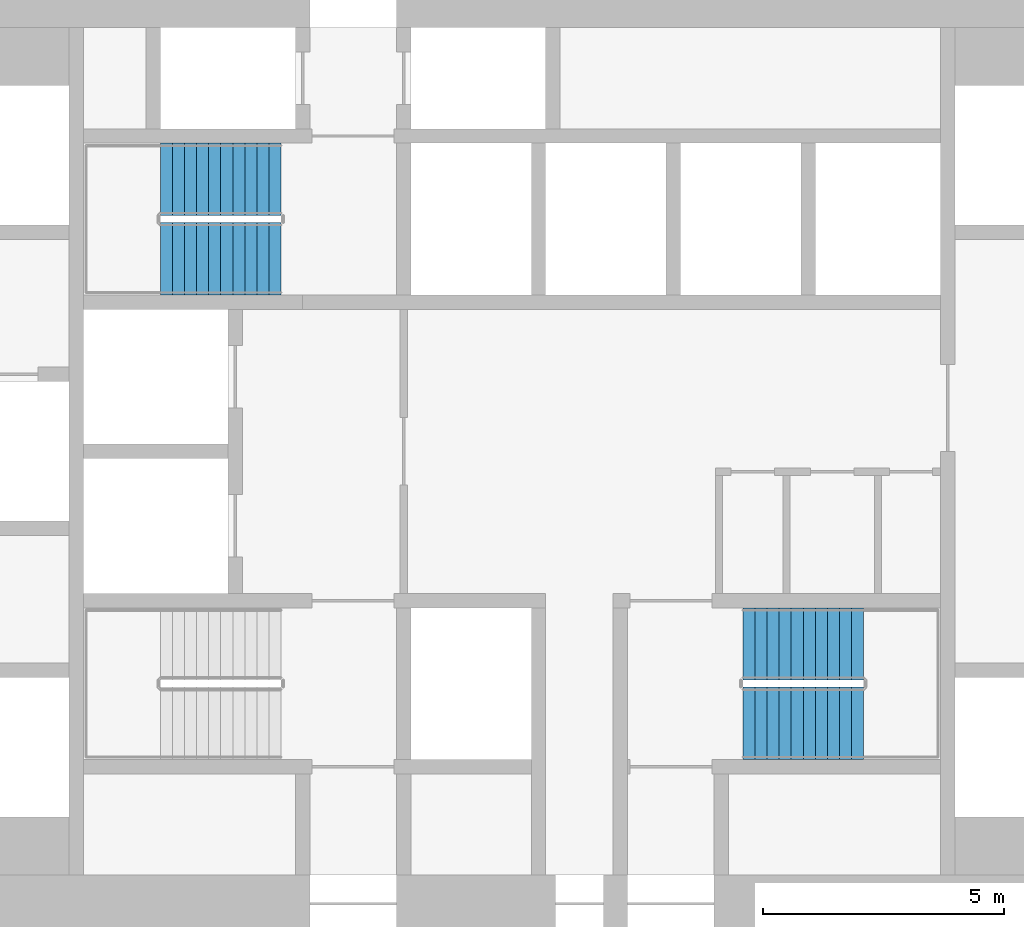
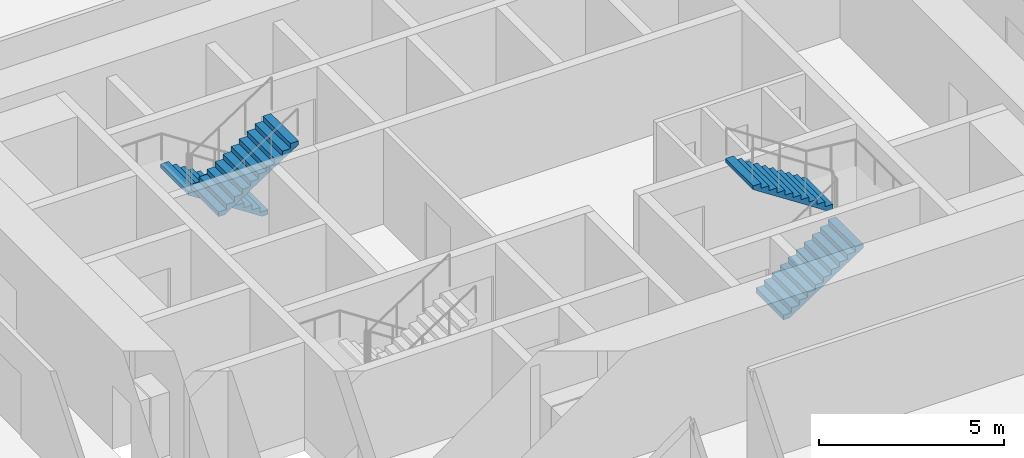
# One storey, part 11 of 12: 4 stair flights, 2 elements without a shape of their own.
"""IFC4 building model written with IfcOpenShell, lengths in metres."""

from ifc_helpers import new_model, si_unit, direction, frame, origin, place, context, subcontext, project, spatial, polyline, outline, extrude, material, type_object, element, aggregate, save


model = new_model("IFC4")

# Units and contexts
model_context = context("Model", 3, precision=1e-05, world=origin(), true_north=direction((0.0, 1.0)))
body_context = subcontext(model_context, "Body", "Model", "MODEL_VIEW")
ifc_project = project(units=[si_unit("LENGTHUNIT", "METRE"), si_unit("AREAUNIT", "SQUARE_METRE"), si_unit("VOLUMEUNIT", "CUBIC_METRE"), si_unit("PLANEANGLEUNIT", "RADIAN"), si_unit("MASSUNIT", "GRAM", prefix="KILO")], contexts=[model_context])

# Site, building, storey
site_placement = place(None, origin())
site = spatial("IfcSite", under=ifc_project, at=site_placement, CompositionType="ELEMENT")
building_placement = place(site_placement, origin())
building = spatial("IfcBuilding", under=site, at=building_placement, Name="Tracery Tower", CompositionType="ELEMENT")
storey_placement = place(building_placement, frame((0.0, 0.0, 49.800048828125)))
storey = spatial("IfcBuildingStorey", under=building, at=storey_placement, Name="L11", CompositionType="ELEMENT", Elevation=49.800048828125)

# Stair, stair flights
ifc_material_1 = material(Name="Concrete C32/40", Category="concrete")
stair_type = type_object("IfcStairType", Name="Core stair 22 risers", PredefinedType="HALF_TURN_STAIR", material=ifc_material_1)
stair_1_placement = place(storey_placement, origin())
stair_1 = element("IfcStair", 1, at=stair_1_placement, inside=storey, type_object=stair_type, Name="L11 stair ST3", PredefinedType="HALF_TURN_STAIR")
ifc_material_2 = material(Name="Concrete C32/40", Category="concrete")
stair_flight_type = type_object("IfcStairFlightType", Name="Core stair flight 11 risers", PredefinedType="STRAIGHT", material=ifc_material_2)
stair_flight_1_placement = place(storey_placement, frame((-4.800048828125, 5.64990234375, 0.0), z_axis=(0.0, 0.0, 1.0), x_axis=(-1.0, 0.0, 0.0)))
stair_flight_1 = element("IfcStairFlight", 2, at=stair_flight_1_placement, type_object=stair_flight_type, Name="ST3 flight 1", NumberOfRisers=11, NumberOfTreads=10, PredefinedType="STRAIGHT", RiserHeight=0.163636364, TreadLength=0.25, context=body_context, shape_type="SweptSolid", body=[
    extrude(outline(polyline([(0.0, 0.0), (0.0, 0.002685546875), (0.0, 0.00537109375), (0.0, 0.008056640625), (0.0, 0.0107421875), (0.0, 0.013427734375), (0.0, 0.01611328125), (0.0, 0.018798828125), (0.0, 0.021484375), (0.0, 0.024169921875), (0.0, 0.02685546875), (0.0, 0.029541015625), (0.0, 0.0322265625), (0.0, 0.034912109375), (0.0, 0.03759765625), (0.0, 0.040283203125), (0.0, 0.04296875), (0.0, 0.045654296875), (0.0, 0.04833984375), (0.0, 0.051025390625), (0.0, 0.0537109375), (0.0, 0.056396484375), (0.0, 0.05908203125), (0.0, 0.061767578125), (0.0, 0.064453125), (0.0, 0.067138671875), (0.0, 0.06982421875), (0.0, 0.072509765625), (0.0, 0.0751953125), (0.0, 0.077880859375), (0.0, 0.08056640625), (0.0, 0.083251953125), (0.0, 0.0859375), (0.0, 0.088623046875), (0.0, 0.09130859375), (0.0, 0.093994140625), (0.0, 0.0966796875), (0.0, 0.099365234375), (0.0, 0.10205078125), (0.0, 0.104736328125), (0.0, 0.107421875), (0.0, 0.10986328125), (0.0, 0.112548828125), (0.0, 0.115234375), (0.0, 0.117919921875), (0.0, 0.12060546875), (0.0, 0.123291015625), (0.0, 0.1259765625), (0.0, 0.128662109375), (0.0, 0.13134765625), (0.0, 0.134033203125), (0.0, 0.13671875), (0.0, 0.139404296875), (0.0, 0.14208984375), (0.0, 0.144775390625), (0.0, 0.1474609375), (0.0, 0.150146484375), (0.0, 0.15283203125), (0.0, 0.155517578125), (0.0, 0.158203125), (0.0, 0.160888671875), (0.0, 0.16357421875), (0.25, 0.16357421875), (0.25, 0.327392578125), (0.5, 0.327392578125), (0.5, 0.490966796875), (0.75, 0.490966796875), (0.75, 0.654541015625), (1.0, 0.654541015625), (1.0, 0.818115234375), (1.25, 0.818115234375), (1.25, 0.98193359375), (1.5, 0.98193359375), (1.5, 1.1455078125), (1.75, 1.1455078125), (1.75, 1.30908203125), (2.0, 1.30908203125), (2.0, 1.47265625), (2.25, 1.47265625), (2.25, 1.636474609375), (2.5, 1.636474609375), (2.5, 1.634521484375), (2.5, 1.63232421875), (2.5, 1.63037109375), (2.5, 1.62841796875), (2.5, 1.62646484375), (2.5, 1.62451171875), (2.5, 1.62255859375), (2.5, 1.62060546875), (2.5, 1.61865234375), (2.5, 1.61669921875), (2.5, 1.61474609375), (2.5, 1.61279296875), (2.5, 1.61083984375), (2.5, 1.60888671875), (2.5, 1.60693359375), (2.5, 1.60498046875), (2.5, 1.60302734375), (2.5, 1.60107421875), (2.5, 1.59912109375), (2.5, 1.59716796875), (2.5, 1.59521484375), (2.5, 1.59326171875), (2.5, 1.59130859375), (2.5, 1.58935546875), (2.5, 1.58740234375), (2.5, 1.58544921875), (2.5, 1.58349609375), (2.5, 1.58154296875), (2.5, 1.57958984375), (2.5, 1.57763671875), (2.5, 1.57568359375), (2.5, 1.573486328125), (2.5, 1.571533203125), (2.5, 1.569580078125), (2.5, 1.567626953125), (2.5, 1.565673828125), (2.5, 1.563720703125), (2.5, 1.561767578125), (2.5, 1.559814453125), (2.5, 1.557861328125), (2.5, 1.555908203125), (2.5, 1.553955078125), (2.5, 1.552001953125), (2.5, 1.550048828125), (2.5, 1.548095703125), (2.5, 1.546142578125), (2.5, 1.544189453125), (2.5, 1.542236328125), (2.5, 1.540283203125), (2.5, 1.538330078125), (2.5, 1.536376953125), (2.5, 1.534423828125), (2.5, 1.532470703125), (2.5, 1.530517578125), (2.5, 1.528564453125), (2.5, 1.526611328125), (2.5, 1.524658203125), (2.5, 1.522705078125), (2.5, 1.520751953125), (2.5, 1.518798828125), (2.5, 1.516845703125), (0.182861328125, 0.0), (0.0, 0.0)])), frame((0.0, 0.75, 0.0), z_axis=(0.0, -1.0, 0.0), x_axis=(1.0, 0.0, 0.0)), (0.0, 0.0, 1.0), 1.5),
])
stair_flight_2_placement = place(storey_placement, frame((-7.300048828125, 4.0, 1.800048828125), z_axis=(0.0, 0.0, 1.0), x_axis=(1.0, 0.0, 0.0)))
stair_flight_2 = element("IfcStairFlight", 3, at=stair_flight_2_placement, type_object=stair_flight_type, Name="ST3 flight 2", NumberOfRisers=11, NumberOfTreads=10, PredefinedType="STRAIGHT", RiserHeight=0.163636364, TreadLength=0.25, context=body_context, shape_type="SweptSolid", body=[
    extrude(outline(polyline([(0.0, 0.0), (0.0, 0.002685546875), (0.0, 0.00537109375), (0.0, 0.008056640625), (0.0, 0.0107421875), (0.0, 0.013427734375), (0.0, 0.01611328125), (0.0, 0.018798828125), (0.0, 0.021484375), (0.0, 0.024169921875), (0.0, 0.02685546875), (0.0, 0.029541015625), (0.0, 0.0322265625), (0.0, 0.034912109375), (0.0, 0.03759765625), (0.0, 0.040283203125), (0.0, 0.04296875), (0.0, 0.045654296875), (0.0, 0.04833984375), (0.0, 0.051025390625), (0.0, 0.0537109375), (0.0, 0.056396484375), (0.0, 0.05908203125), (0.0, 0.061767578125), (0.0, 0.064453125), (0.0, 0.067138671875), (0.0, 0.06982421875), (0.0, 0.072509765625), (0.0, 0.0751953125), (0.0, 0.077880859375), (0.0, 0.08056640625), (0.0, 0.083251953125), (0.0, 0.0859375), (0.0, 0.088623046875), (0.0, 0.09130859375), (0.0, 0.093994140625), (0.0, 0.0966796875), (0.0, 0.099365234375), (0.0, 0.10205078125), (0.0, 0.104736328125), (0.0, 0.107421875), (0.0, 0.10986328125), (0.0, 0.112548828125), (0.0, 0.115234375), (0.0, 0.117919921875), (0.0, 0.12060546875), (0.0, 0.123291015625), (0.0, 0.1259765625), (0.0, 0.128662109375), (0.0, 0.13134765625), (0.0, 0.134033203125), (0.0, 0.13671875), (0.0, 0.139404296875), (0.0, 0.14208984375), (0.0, 0.144775390625), (0.0, 0.1474609375), (0.0, 0.150146484375), (0.0, 0.15283203125), (0.0, 0.155517578125), (0.0, 0.158203125), (0.0, 0.160888671875), (0.0, 0.16357421875), (0.25, 0.16357421875), (0.25, 0.327392578125), (0.5, 0.327392578125), (0.5, 0.490966796875), (0.75, 0.490966796875), (0.75, 0.654541015625), (1.0, 0.654541015625), (1.0, 0.818115234375), (1.25, 0.818115234375), (1.25, 0.98193359375), (1.5, 0.98193359375), (1.5, 1.1455078125), (1.75, 1.1455078125), (1.75, 1.30908203125), (2.0, 1.30908203125), (2.0, 1.47265625), (2.25, 1.47265625), (2.25, 1.636474609375), (2.5, 1.636474609375), (2.5, 1.634521484375), (2.5, 1.63232421875), (2.5, 1.63037109375), (2.5, 1.62841796875), (2.5, 1.62646484375), (2.5, 1.62451171875), (2.5, 1.62255859375), (2.5, 1.62060546875), (2.5, 1.61865234375), (2.5, 1.61669921875), (2.5, 1.61474609375), (2.5, 1.61279296875), (2.5, 1.61083984375), (2.5, 1.60888671875), (2.5, 1.60693359375), (2.5, 1.60498046875), (2.5, 1.60302734375), (2.5, 1.60107421875), (2.5, 1.59912109375), (2.5, 1.59716796875), (2.5, 1.59521484375), (2.5, 1.59326171875), (2.5, 1.59130859375), (2.5, 1.58935546875), (2.5, 1.58740234375), (2.5, 1.58544921875), (2.5, 1.58349609375), (2.5, 1.58154296875), (2.5, 1.57958984375), (2.5, 1.57763671875), (2.5, 1.57568359375), (2.5, 1.573486328125), (2.5, 1.571533203125), (2.5, 1.569580078125), (2.5, 1.567626953125), (2.5, 1.565673828125), (2.5, 1.563720703125), (2.5, 1.561767578125), (2.5, 1.559814453125), (2.5, 1.557861328125), (2.5, 1.555908203125), (2.5, 1.553955078125), (2.5, 1.552001953125), (2.5, 1.550048828125), (2.5, 1.548095703125), (2.5, 1.546142578125), (2.5, 1.544189453125), (2.5, 1.542236328125), (2.5, 1.540283203125), (2.5, 1.538330078125), (2.5, 1.536376953125), (2.5, 1.534423828125), (2.5, 1.532470703125), (2.5, 1.530517578125), (2.5, 1.528564453125), (2.5, 1.526611328125), (2.5, 1.524658203125), (2.5, 1.522705078125), (2.5, 1.520751953125), (2.5, 1.518798828125), (2.5, 1.516845703125), (0.182861328125, 0.0), (0.0, 0.0)])), frame((0.0, 0.75, 0.0), z_axis=(0.0, -1.0, 0.0), x_axis=(1.0, 0.0, 0.0)), (0.0, 0.0, 1.0), 1.5),
])
aggregate(stair_1, [stair_flight_1, stair_flight_2])

stair_2_placement = place(storey_placement, origin())
stair_2 = element("IfcStair", 4, at=stair_2_placement, inside=storey, type_object=stair_type, Name="L11 stair ST2", PredefinedType="HALF_TURN_STAIR")
stair_flight_3_placement = place(storey_placement, frame((4.800048828125, -5.64990234375, 0.0), z_axis=(0.0, 0.0, 1.0), x_axis=(1.0, 0.0, 0.0)))
stair_flight_3 = element("IfcStairFlight", 5, at=stair_flight_3_placement, type_object=stair_flight_type, Name="ST2 flight 1", NumberOfRisers=11, NumberOfTreads=10, PredefinedType="STRAIGHT", RiserHeight=0.163636364, TreadLength=0.25, context=body_context, shape_type="SweptSolid", body=[
    extrude(outline(polyline([(0.0, 0.0), (0.0, 0.002685546875), (0.0, 0.00537109375), (0.0, 0.008056640625), (0.0, 0.0107421875), (0.0, 0.013427734375), (0.0, 0.01611328125), (0.0, 0.018798828125), (0.0, 0.021484375), (0.0, 0.024169921875), (0.0, 0.02685546875), (0.0, 0.029541015625), (0.0, 0.0322265625), (0.0, 0.034912109375), (0.0, 0.03759765625), (0.0, 0.040283203125), (0.0, 0.04296875), (0.0, 0.045654296875), (0.0, 0.04833984375), (0.0, 0.051025390625), (0.0, 0.0537109375), (0.0, 0.056396484375), (0.0, 0.05908203125), (0.0, 0.061767578125), (0.0, 0.064453125), (0.0, 0.067138671875), (0.0, 0.06982421875), (0.0, 0.072509765625), (0.0, 0.0751953125), (0.0, 0.077880859375), (0.0, 0.08056640625), (0.0, 0.083251953125), (0.0, 0.0859375), (0.0, 0.088623046875), (0.0, 0.09130859375), (0.0, 0.093994140625), (0.0, 0.0966796875), (0.0, 0.099365234375), (0.0, 0.10205078125), (0.0, 0.104736328125), (0.0, 0.107421875), (0.0, 0.10986328125), (0.0, 0.112548828125), (0.0, 0.115234375), (0.0, 0.117919921875), (0.0, 0.12060546875), (0.0, 0.123291015625), (0.0, 0.1259765625), (0.0, 0.128662109375), (0.0, 0.13134765625), (0.0, 0.134033203125), (0.0, 0.13671875), (0.0, 0.139404296875), (0.0, 0.14208984375), (0.0, 0.144775390625), (0.0, 0.1474609375), (0.0, 0.150146484375), (0.0, 0.15283203125), (0.0, 0.155517578125), (0.0, 0.158203125), (0.0, 0.160888671875), (0.0, 0.16357421875), (0.25, 0.16357421875), (0.25, 0.327392578125), (0.5, 0.327392578125), (0.5, 0.490966796875), (0.75, 0.490966796875), (0.75, 0.654541015625), (1.0, 0.654541015625), (1.0, 0.818115234375), (1.25, 0.818115234375), (1.25, 0.98193359375), (1.5, 0.98193359375), (1.5, 1.1455078125), (1.75, 1.1455078125), (1.75, 1.30908203125), (2.0, 1.30908203125), (2.0, 1.47265625), (2.25, 1.47265625), (2.25, 1.636474609375), (2.5, 1.636474609375), (2.5, 1.634521484375), (2.5, 1.63232421875), (2.5, 1.63037109375), (2.5, 1.62841796875), (2.5, 1.62646484375), (2.5, 1.62451171875), (2.5, 1.62255859375), (2.5, 1.62060546875), (2.5, 1.61865234375), (2.5, 1.61669921875), (2.5, 1.61474609375), (2.5, 1.61279296875), (2.5, 1.61083984375), (2.5, 1.60888671875), (2.5, 1.60693359375), (2.5, 1.60498046875), (2.5, 1.60302734375), (2.5, 1.60107421875), (2.5, 1.59912109375), (2.5, 1.59716796875), (2.5, 1.59521484375), (2.5, 1.59326171875), (2.5, 1.59130859375), (2.5, 1.58935546875), (2.5, 1.58740234375), (2.5, 1.58544921875), (2.5, 1.58349609375), (2.5, 1.58154296875), (2.5, 1.57958984375), (2.5, 1.57763671875), (2.5, 1.57568359375), (2.5, 1.573486328125), (2.5, 1.571533203125), (2.5, 1.569580078125), (2.5, 1.567626953125), (2.5, 1.565673828125), (2.5, 1.563720703125), (2.5, 1.561767578125), (2.5, 1.559814453125), (2.5, 1.557861328125), (2.5, 1.555908203125), (2.5, 1.553955078125), (2.5, 1.552001953125), (2.5, 1.550048828125), (2.5, 1.548095703125), (2.5, 1.546142578125), (2.5, 1.544189453125), (2.5, 1.542236328125), (2.5, 1.540283203125), (2.5, 1.538330078125), (2.5, 1.536376953125), (2.5, 1.534423828125), (2.5, 1.532470703125), (2.5, 1.530517578125), (2.5, 1.528564453125), (2.5, 1.526611328125), (2.5, 1.524658203125), (2.5, 1.522705078125), (2.5, 1.520751953125), (2.5, 1.518798828125), (2.5, 1.516845703125), (0.182861328125, 0.0), (0.0, 0.0)])), frame((0.0, 0.75, 0.0), z_axis=(0.0, -1.0, 0.0), x_axis=(1.0, 0.0, 0.0)), (0.0, 0.0, 1.0), 1.5),
])
stair_flight_4_placement = place(storey_placement, frame((7.300048828125, -4.0, 1.800048828125), z_axis=(0.0, 0.0, 1.0), x_axis=(-1.0, 0.0, 0.0)))
stair_flight_4 = element("IfcStairFlight", 6, at=stair_flight_4_placement, type_object=stair_flight_type, Name="ST2 flight 2", NumberOfRisers=11, NumberOfTreads=10, PredefinedType="STRAIGHT", RiserHeight=0.163636364, TreadLength=0.25, context=body_context, shape_type="SweptSolid", body=[
    extrude(outline(polyline([(0.0, 0.0), (0.0, 0.002685546875), (0.0, 0.00537109375), (0.0, 0.008056640625), (0.0, 0.0107421875), (0.0, 0.013427734375), (0.0, 0.01611328125), (0.0, 0.018798828125), (0.0, 0.021484375), (0.0, 0.024169921875), (0.0, 0.02685546875), (0.0, 0.029541015625), (0.0, 0.0322265625), (0.0, 0.034912109375), (0.0, 0.03759765625), (0.0, 0.040283203125), (0.0, 0.04296875), (0.0, 0.045654296875), (0.0, 0.04833984375), (0.0, 0.051025390625), (0.0, 0.0537109375), (0.0, 0.056396484375), (0.0, 0.05908203125), (0.0, 0.061767578125), (0.0, 0.064453125), (0.0, 0.067138671875), (0.0, 0.06982421875), (0.0, 0.072509765625), (0.0, 0.0751953125), (0.0, 0.077880859375), (0.0, 0.08056640625), (0.0, 0.083251953125), (0.0, 0.0859375), (0.0, 0.088623046875), (0.0, 0.09130859375), (0.0, 0.093994140625), (0.0, 0.0966796875), (0.0, 0.099365234375), (0.0, 0.10205078125), (0.0, 0.104736328125), (0.0, 0.107421875), (0.0, 0.10986328125), (0.0, 0.112548828125), (0.0, 0.115234375), (0.0, 0.117919921875), (0.0, 0.12060546875), (0.0, 0.123291015625), (0.0, 0.1259765625), (0.0, 0.128662109375), (0.0, 0.13134765625), (0.0, 0.134033203125), (0.0, 0.13671875), (0.0, 0.139404296875), (0.0, 0.14208984375), (0.0, 0.144775390625), (0.0, 0.1474609375), (0.0, 0.150146484375), (0.0, 0.15283203125), (0.0, 0.155517578125), (0.0, 0.158203125), (0.0, 0.160888671875), (0.0, 0.16357421875), (0.25, 0.16357421875), (0.25, 0.327392578125), (0.5, 0.327392578125), (0.5, 0.490966796875), (0.75, 0.490966796875), (0.75, 0.654541015625), (1.0, 0.654541015625), (1.0, 0.818115234375), (1.25, 0.818115234375), (1.25, 0.98193359375), (1.5, 0.98193359375), (1.5, 1.1455078125), (1.75, 1.1455078125), (1.75, 1.30908203125), (2.0, 1.30908203125), (2.0, 1.47265625), (2.25, 1.47265625), (2.25, 1.636474609375), (2.5, 1.636474609375), (2.5, 1.634521484375), (2.5, 1.63232421875), (2.5, 1.63037109375), (2.5, 1.62841796875), (2.5, 1.62646484375), (2.5, 1.62451171875), (2.5, 1.62255859375), (2.5, 1.62060546875), (2.5, 1.61865234375), (2.5, 1.61669921875), (2.5, 1.61474609375), (2.5, 1.61279296875), (2.5, 1.61083984375), (2.5, 1.60888671875), (2.5, 1.60693359375), (2.5, 1.60498046875), (2.5, 1.60302734375), (2.5, 1.60107421875), (2.5, 1.59912109375), (2.5, 1.59716796875), (2.5, 1.59521484375), (2.5, 1.59326171875), (2.5, 1.59130859375), (2.5, 1.58935546875), (2.5, 1.58740234375), (2.5, 1.58544921875), (2.5, 1.58349609375), (2.5, 1.58154296875), (2.5, 1.57958984375), (2.5, 1.57763671875), (2.5, 1.57568359375), (2.5, 1.573486328125), (2.5, 1.571533203125), (2.5, 1.569580078125), (2.5, 1.567626953125), (2.5, 1.565673828125), (2.5, 1.563720703125), (2.5, 1.561767578125), (2.5, 1.559814453125), (2.5, 1.557861328125), (2.5, 1.555908203125), (2.5, 1.553955078125), (2.5, 1.552001953125), (2.5, 1.550048828125), (2.5, 1.548095703125), (2.5, 1.546142578125), (2.5, 1.544189453125), (2.5, 1.542236328125), (2.5, 1.540283203125), (2.5, 1.538330078125), (2.5, 1.536376953125), (2.5, 1.534423828125), (2.5, 1.532470703125), (2.5, 1.530517578125), (2.5, 1.528564453125), (2.5, 1.526611328125), (2.5, 1.524658203125), (2.5, 1.522705078125), (2.5, 1.520751953125), (2.5, 1.518798828125), (2.5, 1.516845703125), (0.182861328125, 0.0), (0.0, 0.0)])), frame((0.0, 0.75, 0.0), z_axis=(0.0, -1.0, 0.0), x_axis=(1.0, 0.0, 0.0)), (0.0, 0.0, 1.0), 1.5),
])
aggregate(stair_2, [stair_flight_3, stair_flight_4])

save(model, "model.ifc")
